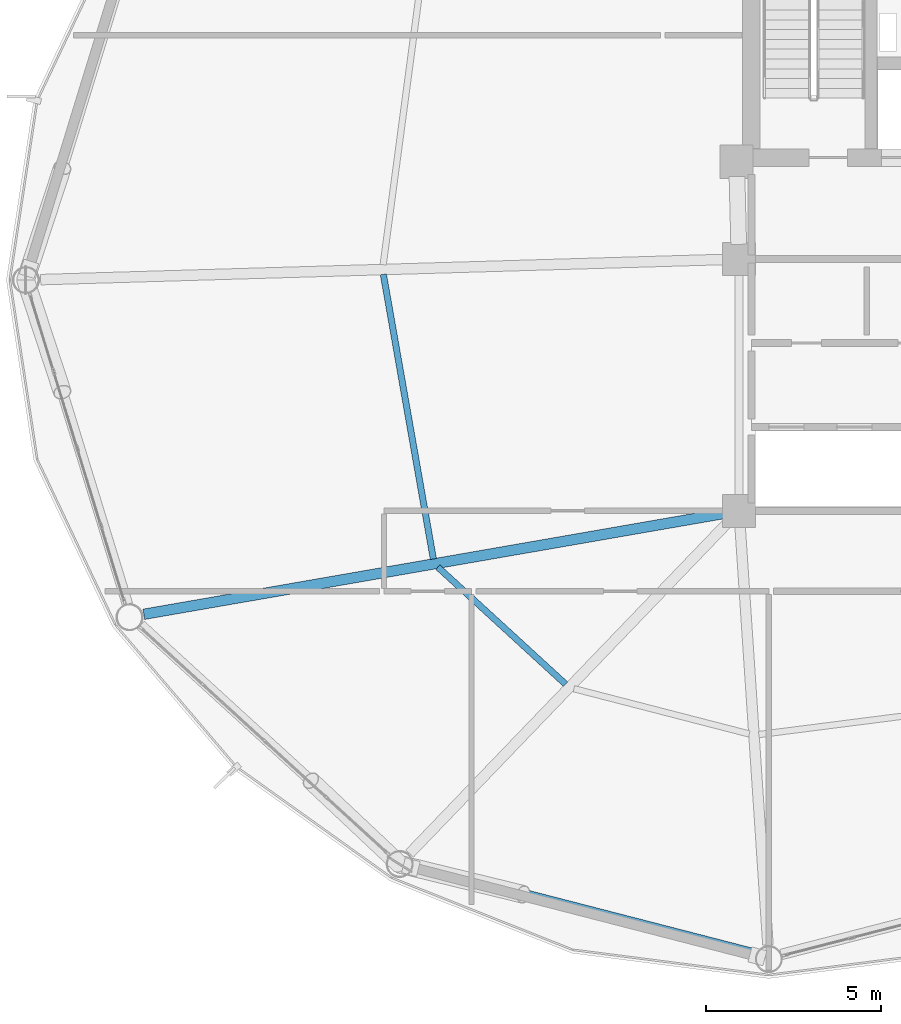
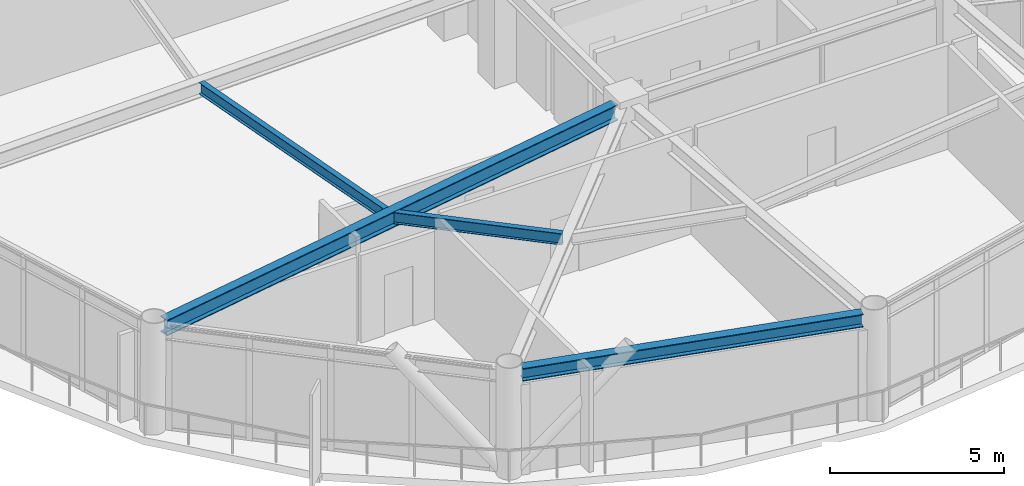
# One storey, part 5 of 25: 4 beams.
"""IFC4 building model written with IfcOpenShell, lengths in metres."""

from ifc_helpers import new_model, si_unit, direction, frame, origin, origin_2d, place, context, subcontext, project, spatial, i_section, extrude, material, material_profile, profile_set, type_object, element, save


model = new_model("IFC4")

# Units and contexts
model_context = context("Model", 3, precision=1e-05, world=origin(), true_north=direction((0.0, 1.0)))
body_context = subcontext(model_context, "Body", "Model", "MODEL_VIEW")
ifc_project = project(units=[si_unit("LENGTHUNIT", "METRE"), si_unit("AREAUNIT", "SQUARE_METRE"), si_unit("VOLUMEUNIT", "CUBIC_METRE"), si_unit("PLANEANGLEUNIT", "RADIAN"), si_unit("MASSUNIT", "GRAM", prefix="KILO")], contexts=[model_context])

# Site, building, storey
site_placement = place(None, origin())
site = spatial("IfcSite", under=ifc_project, at=site_placement, CompositionType="ELEMENT")
building_placement = place(site_placement, origin())
building = spatial("IfcBuilding", under=site, at=building_placement, Name="Varnakorn Sky Granary", CompositionType="ELEMENT")
storey_placement = place(building_placement, frame((0.0, 0.0, 122.699951171875)))
storey = spatial("IfcBuildingStorey", under=building, at=storey_placement, Name="L30", CompositionType="ELEMENT", Elevation=122.699951171875)

# Beams
ifc_material = material(Name="Steel S355JR", Category="steel")
ifc_material_profile_1 = material_profile(ifc_material, i_section(OverallWidth=0.300048828125, OverallDepth=0.550048828125, WebThickness=0.014892578125, FlangeThickness=0.029052734375, at=origin_2d()), Name="HE 550 B")
ifc_profile_set_1 = profile_set([ifc_material_profile_1], Name="Steel S355JR")
beam_type_1 = type_object("IfcBeamType", Name="BM-RAD-Z3", PredefinedType="BEAM", material=ifc_profile_set_1)
beam_1_placement = place(storey_placement, frame((-2.763916015625, -6.671875, 3.364990234375), z_axis=(-0.985237368656, -0.171193829923, 0.0), x_axis=(0.171193829923, -0.985237368656, 0.0)))
element("IfcBeam", 1, at=beam_1_placement, inside=storey, type_object=beam_type_1, Name="Radial Floor Girder RG08 L30", PredefinedType="BEAM", context=body_context, shape_type="SweptSolid", body=[
    extrude(i_section(OverallWidth=0.300048828125, OverallDepth=0.550048828125, WebThickness=0.014892578125, FlangeThickness=0.029052734375, at=origin_2d()), origin(), (0.0, 0.0, 1.0), 16.852294921875),
])
ifc_material_profile_2 = material_profile(ifc_material, i_section(OverallWidth=0.179931640625, OverallDepth=0.39990234375, WebThickness=0.008544921875, FlangeThickness=0.013427734375, at=origin_2d()), Name="IPE 400")
ifc_profile_set_2 = profile_set([ifc_material_profile_2], Name="Steel S355JR")
beam_type_2 = type_object("IfcBeamType", Name="BM-SEC-Z3", PredefinedType="BEAM", material=ifc_profile_set_2)
beam_2_placement = place(storey_placement, frame((-12.519287109375, 0.161376953125, 3.43994140625), z_axis=(0.173003151246, -0.984921270792, 0.0), x_axis=(0.984921270792, 0.173003151246, 0.0)))
element("IfcBeam", 2, at=beam_2_placement, inside=storey, type_object=beam_type_2, Name="Secondary Floor Chord Beam MSB07 L30", PredefinedType="BEAM", context=body_context, shape_type="SweptSolid", body=[
    extrude(i_section(OverallWidth=0.179931640625, OverallDepth=0.39990234375, WebThickness=0.008544921875, FlangeThickness=0.013427734375, at=origin_2d()), origin(), (0.0, 0.0, 1.0), 8.262451171875),
])
beam_3_placement = place(storey_placement, frame((-10.96240234375, -8.208984375, 3.43994140625), z_axis=(0.737397491333, -0.675459058549, 0.0), x_axis=(0.675459058549, 0.737397491333, 0.0)))
element("IfcBeam", 3, at=beam_3_placement, inside=storey, type_object=beam_type_2, Name="Secondary Floor Chord Beam MSB08 L30", PredefinedType="BEAM", context=body_context, shape_type="SweptSolid", body=[
    extrude(i_section(OverallWidth=0.179931640625, OverallDepth=0.39990234375, WebThickness=0.008544921875, FlangeThickness=0.013427734375, at=origin_2d()), origin(), (0.0, 0.0, 1.0), 4.95458984375),
])
ifc_material_profile_3 = material_profile(ifc_material, i_section(OverallWidth=0.300048828125, OverallDepth=0.449951171875, WebThickness=0.013916015625, FlangeThickness=0.02587890625, at=origin_2d()), Name="HE 450 B")
ifc_profile_set_3 = profile_set([ifc_material_profile_3], Name="Steel S355JR")
beam_type_3 = type_object("IfcBeamType", Name="BM-SPD-Z3", PredefinedType="SPANDREL", material=ifc_profile_set_3)
beam_4_placement = place(storey_placement, frame((-11.669677734375, -16.752685546875, 3.4150390625), z_axis=(0.968347030914, -0.249607747715, 0.0), x_axis=(0.249607747715, 0.968347030914, 0.0)))
element("IfcBeam", 4, at=beam_4_placement, inside=storey, type_object=beam_type_3, Name="Perimeter Spandrel Ring Beam RB09 L30", PredefinedType="SPANDREL", context=body_context, shape_type="SweptSolid", body=[
    extrude(i_section(OverallWidth=0.300048828125, OverallDepth=0.449951171875, WebThickness=0.013916015625, FlangeThickness=0.02587890625, at=origin_2d()), origin(), (0.0, 0.0, 1.0), 10.135986328125),
])

save(model, "model.ifc")
